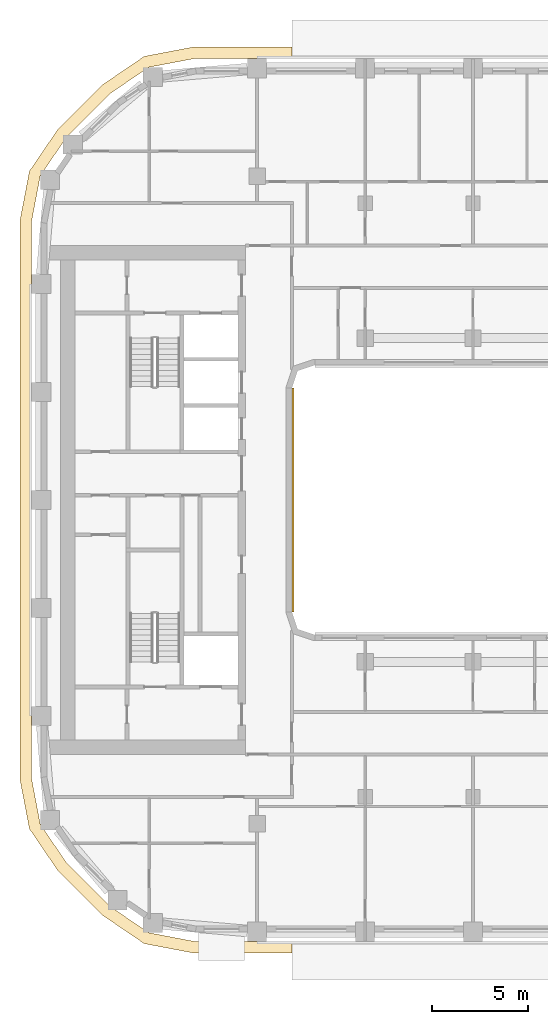
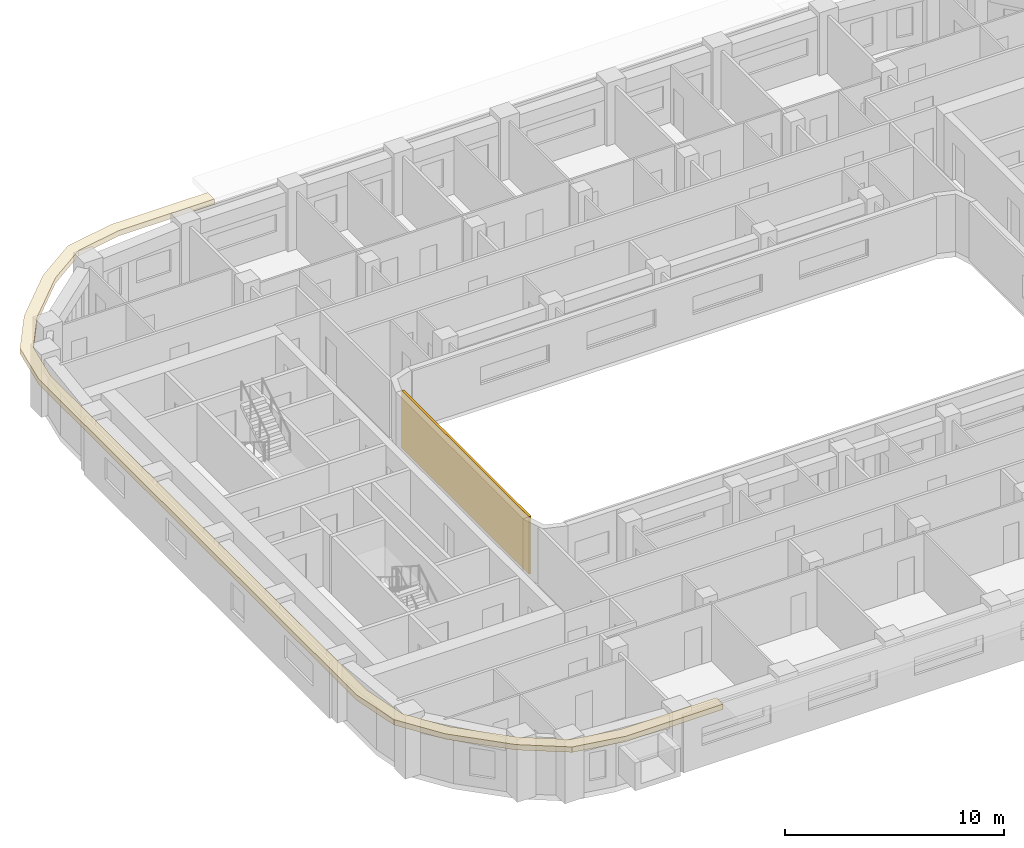
# One storey, part 14 of 22: 2 coverings.
"""IFC4 building model written with IfcOpenShell, lengths in metres."""

from ifc_helpers import new_model, si_unit, direction, frame, origin, place, context, subcontext, project, spatial, polyline, outline, extrude, material, layer, layer_set, type_object, element, save


model = new_model("IFC4")

# Units and contexts
model_context = context("Model", 3, precision=1e-05, world=origin(), true_north=direction((0.0, 1.0)))
body_context = subcontext(model_context, "Body", "Model", "MODEL_VIEW")
ifc_project = project(units=[si_unit("LENGTHUNIT", "METRE"), si_unit("AREAUNIT", "SQUARE_METRE"), si_unit("VOLUMEUNIT", "CUBIC_METRE"), si_unit("PLANEANGLEUNIT", "RADIAN"), si_unit("MASSUNIT", "GRAM", prefix="KILO")], contexts=[model_context])

# Site, building, storey
site_placement = place(None, origin())
site = spatial("IfcSite", under=ifc_project, at=site_placement, CompositionType="ELEMENT")
building_placement = place(site_placement, origin())
building = spatial("IfcBuilding", under=site, at=building_placement, Name="Kiln Ring Residences", CompositionType="ELEMENT")
storey_placement = place(building_placement, frame((0.0, 0.0, 171.10009765625)))
storey = spatial("IfcBuildingStorey", under=building, at=storey_placement, Name="L44", CompositionType="ELEMENT", Elevation=171.10009765625)

# Coverings
ifc_material_1 = material(Name="Brick masonry, dark clay brick", Category="masonry")
ifc_layer_1 = layer(ifc_material_1, 0.1201171875)
ifc_layer_set_1 = layer_set([ifc_layer_1], Name="RAINSCREEN PANEL 120")
covering_type_1 = type_object("IfcCoveringType", Name="RAINSCREEN PANEL 120", PredefinedType="CLADDING", material=ifc_layer_set_1)
covering_1_placement = place(storey_placement, frame((-14.93994140625, -5.800048828125, 0.0), z_axis=(0.0, 0.0, 1.0), x_axis=(0.0, 1.0, 0.0)))
element("IfcCovering", 1, at=covering_1_placement, inside=storey, type_object=covering_type_1, Name="RAINSCREEN L44", PredefinedType="CLADDING", context=body_context, shape_type="SweptSolid", body=[
    extrude(outline(polyline([(0.0, 0.0), (11.60009765625, 0.0), (11.60009765625, 3.199951171875), (0.0, 3.199951171875), (0.0, 0.0)])), frame((0.0, 0.06005859375, 0.0), z_axis=(0.0, -1.0, 0.0), x_axis=(1.0, 0.0, 0.0)), (0.0, 0.0, 1.0), 0.1201171875),
])
ifc_material_2 = material(Name="Black powder-coated steel", Category="steel")
ifc_layer_2 = layer(ifc_material_2, 0.300048828125)
ifc_layer_set_2 = layer_set([ifc_layer_2], Name="SUNSHADE FIN 600")
covering_type_2 = type_object("IfcCoveringType", Name="SUNSHADE FIN 600", PredefinedType="CLADDING", material=ifc_layer_set_2)
covering_2_placement = place(storey_placement, frame((0.0, 0.0, 3.199951171875)))
element("IfcCovering", 2, at=covering_2_placement, inside=storey, type_object=covering_type_2, Name="SUNSHADE FIN L44", PredefinedType="CLADDING", context=body_context, shape_type="SweptSolid", body=[
    extrude(outline(polyline([(-29.10009765625, -14.50390625), (-28.613525390625, -17.05419921875), (-27.154296875, -19.201416015625), (-24.801513671875, -21.55419921875), (-22.654052734375, -23.013671875), (-20.10400390625, -23.5), (-15.0, -23.5), (-15.0, -22.89990234375), (-20.04736328125, -22.89990234375), (-22.419677734375, -22.447509765625), (-24.417236328125, -21.08984375), (-26.68994140625, -18.817138671875), (-28.047607421875, -16.819580078125), (-28.5, -14.447265625), (-28.5, 14.447265625), (-28.047607421875, 16.819580078125), (-26.68994140625, 18.817138671875), (-24.417236328125, 21.08984375), (-22.419677734375, 22.447509765625), (-20.04736328125, 22.89990234375), (-15.0, 22.89990234375), (-15.0, 23.5), (-20.10400390625, 23.5), (-22.654052734375, 23.013671875), (-24.801513671875, 21.55419921875), (-27.154296875, 19.201416015625), (-28.613525390625, 17.05419921875), (-29.10009765625, 14.50390625), (-29.10009765625, -14.50390625)])), origin(), (0.0, 0.0, 1.0), 0.300048828125),
])

save(model, "model.ifc")
